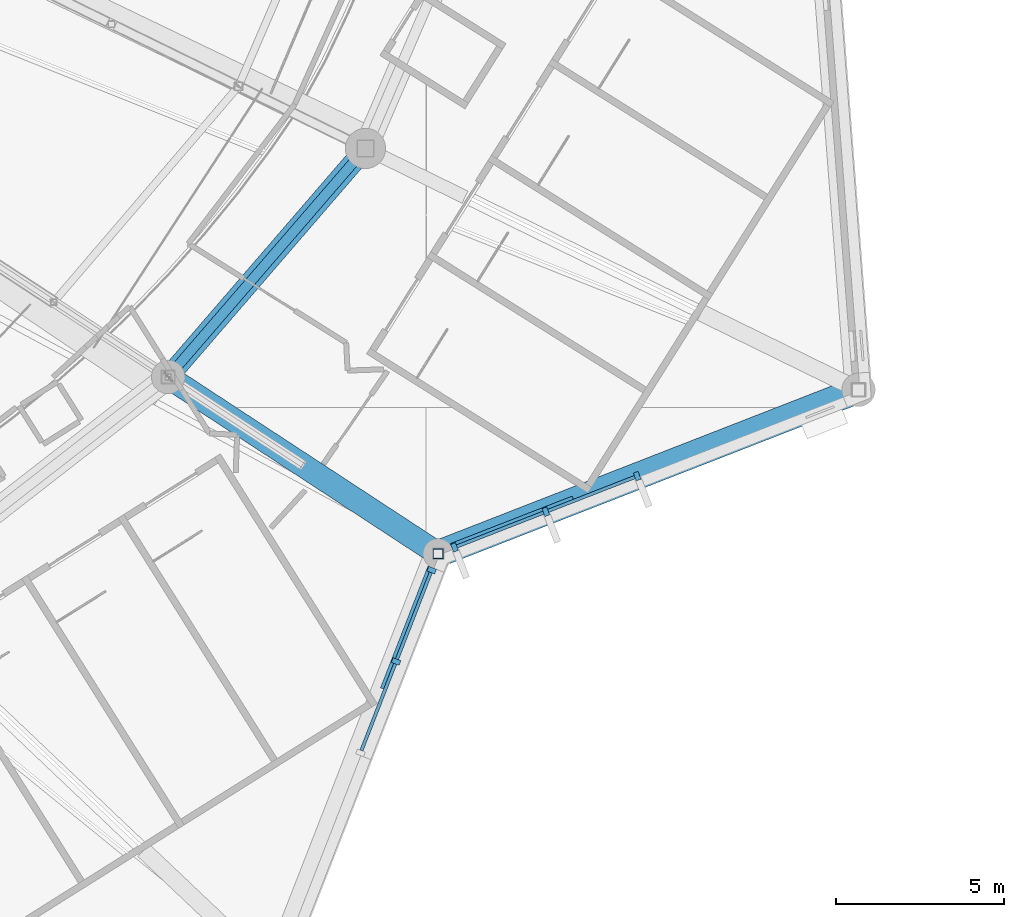
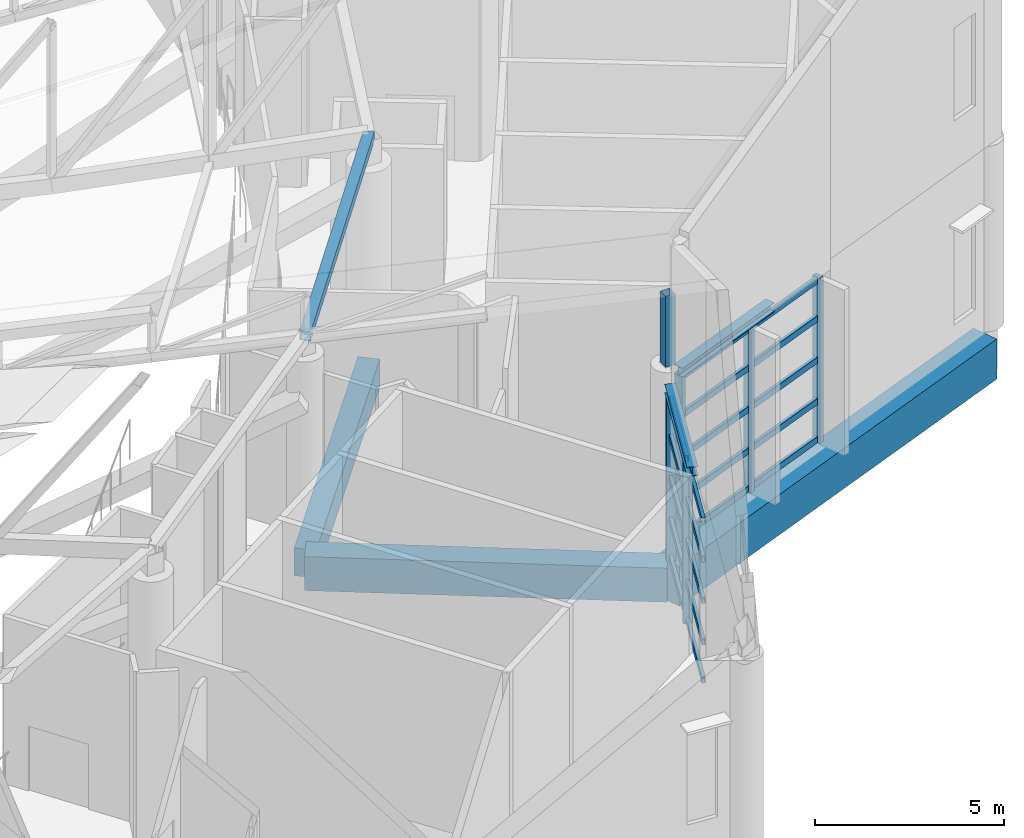
# One storey, part 81 of 344: 27 members, 5 beams, 2 elements without a shape of their own.
"""IFC4 building model written with IfcOpenShell, lengths in metres."""

from ifc_helpers import new_model, si_unit, direction, frame, origin, origin_2d, place, context, subcontext, project, spatial, rectangle, hollow_rectangle, i_section, extrude, material, layer, layer_set, material_profile, profile_set, type_object, element, aggregate, save


model = new_model("IFC4")

# Units and contexts
model_context = context("Model", 3, precision=1e-05, world=origin(), true_north=direction((0.0, 1.0)))
body_context = subcontext(model_context, "Body", "Model", "MODEL_VIEW")
ifc_project = project(units=[si_unit("LENGTHUNIT", "METRE"), si_unit("AREAUNIT", "SQUARE_METRE"), si_unit("VOLUMEUNIT", "CUBIC_METRE"), si_unit("PLANEANGLEUNIT", "RADIAN"), si_unit("MASSUNIT", "GRAM", prefix="KILO")], contexts=[model_context])

# Site, building, storey
site_placement = place(None, origin())
site = spatial("IfcSite", under=ifc_project, at=site_placement, CompositionType="ELEMENT")
building_placement = place(site_placement, origin())
building = spatial("IfcBuilding", under=site, at=building_placement, Name="Meseta Stadium", CompositionType="ELEMENT")
storey_placement = place(building_placement, frame((0.0, 0.0, 24.0)))
storey = spatial("IfcBuildingStorey", under=building, at=storey_placement, Name="L04", CompositionType="ELEMENT", Elevation=24.0)

# Beams
ifc_material_1 = material(Name="Steel S355", Category="steel")
ifc_material_profile_1 = material_profile(ifc_material_1, i_section(OverallWidth=0.300048828125, OverallDepth=0.300048828125, WebThickness=0.010986328125, FlangeThickness=0.01904296875, FilletRadius=0.027099609375, at=origin_2d()), Name="HEB 300")
ifc_profile_set_1 = profile_set([ifc_material_profile_1], Name="Steel S355")
beam_type_1 = type_object("IfcBeamType", Name="Atrium lintel beam HEB 300", PredefinedType="BEAM", material=ifc_profile_set_1)
for number, where, z_axis, x_axis, name in (
    (1, (80.2021484375, -84.784423828125, 5.5), (-0.363325172539, -0.931662395399, 0.0), (0.931662395399, -0.363325172539, 0.0), "Atrium lintel beam F52"),
    (2, (80.784423828125, -84.2021484375, 5.5), (0.931662395399, 0.363325172539, 0.0), (-0.363325172539, 0.931662395399, 0.0), "Atrium lintel beam F53"),
):
    element("IfcBeam", number, at=place(storey_placement, frame(where, z_axis=z_axis, x_axis=x_axis)), inside=storey, type_object=beam_type_1, Name=name, PredefinedType="BEAM", context=body_context, shape_type="SweptSolid", body=[
        extrude(i_section(OverallWidth=0.300048828125, OverallDepth=0.300048828125, WebThickness=0.010986328125, FlangeThickness=0.01904296875, FilletRadius=0.027099609375, at=origin_2d()), origin(), (0.0, 0.0, 1.0), 3.900146484375),
    ])

# Curtain wall, members
ifc_material_2 = material(Name="Steel S355", Category="steel")
ifc_layer = layer(ifc_material_2, 0.300048828125)
ifc_layer_set = layer_set([ifc_layer], Name="Valley atrium curtain wall")
curtain_wall_type = type_object("IfcCurtainWallType", Name="Valley atrium curtain wall", PredefinedType="NOTDEFINED", material=ifc_layer_set)
curtain_wall_1_placement = place(storey_placement, origin())
curtain_wall_1 = element("IfcCurtainWall", 3, at=curtain_wall_1_placement, inside=storey, type_object=curtain_wall_type, Name="Valley atrium glazing F52", PredefinedType="NOTDEFINED")
ifc_material_3 = material(Name="Steel S355", Category="steel")
ifc_material_profile_2 = material_profile(ifc_material_3, rectangle(XDim=0.25, YDim=0.14990234375, at=origin_2d()), Name="CW 250x150")
ifc_profile_set_2 = profile_set([ifc_material_profile_2], Name="Steel S355")
member_type_1 = type_object("IfcMemberType", Name="CW mullion bar 250x150", PredefinedType="MULLION", material=ifc_profile_set_2)
member_1_placement = place(storey_placement, frame((79.1123046875, -87.579345703125, 0.0), z_axis=(0.0, 0.0, 1.0), x_axis=(-0.931679912901, 0.363280249803, 0.0)))
member_1 = element("IfcMember", 4, at=member_1_placement, type_object=member_type_1, Name="CWA mullion 2", PredefinedType="MULLION", context=body_context, shape_type="SweptSolid", body=[
    extrude(rectangle(XDim=0.25, YDim=0.14990234375, at=origin_2d()), origin(), (0.0, 0.0, 1.0), 5.35009765625),
])
member_2_placement = place(storey_placement, frame((80.1748046875, -84.854248046875, 0.0), z_axis=(0.0, 0.0, 1.0), x_axis=(-0.931679912901, 0.363280249803, 0.0)))
member_2 = element("IfcMember", 5, at=member_2_placement, type_object=member_type_1, Name="CWA mullion 3", PredefinedType="MULLION", context=body_context, shape_type="SweptSolid", body=[
    extrude(rectangle(XDim=0.25, YDim=0.14990234375, at=origin_2d()), origin(), (0.0, 0.0, 1.0), 5.35009765625),
])

curtain_wall_2_placement = place(storey_placement, origin())
curtain_wall_2 = element("IfcCurtainWall", 6, at=curtain_wall_2_placement, inside=storey, type_object=curtain_wall_type, Name="Valley atrium glazing F53", PredefinedType="NOTDEFINED")
member_3_placement = place(storey_placement, frame((80.854248046875, -84.1748046875, 0.0), z_axis=(0.0, 0.0, 1.0), x_axis=(-0.363280249803, 0.931679912901, 0.0)))
member_3 = element("IfcMember", 7, at=member_3_placement, type_object=member_type_1, Name="CWA mullion 1", PredefinedType="MULLION", context=body_context, shape_type="SweptSolid", body=[
    extrude(rectangle(XDim=0.25, YDim=0.14990234375, at=origin_2d()), origin(), (0.0, 0.0, 1.0), 5.35009765625),
])
member_4_placement = place(storey_placement, frame((83.579345703125, -83.1123046875, 0.0), z_axis=(0.0, 0.0, 1.0), x_axis=(-0.363280249803, 0.931679912901, 0.0)))
member_4 = element("IfcMember", 8, at=member_4_placement, type_object=member_type_1, Name="CWA mullion 2", PredefinedType="MULLION", context=body_context, shape_type="SweptSolid", body=[
    extrude(rectangle(XDim=0.25, YDim=0.14990234375, at=origin_2d()), origin(), (0.0, 0.0, 1.0), 5.35009765625),
])
member_5_placement = place(storey_placement, frame((86.304443359375, -82.049560546875, 0.0), z_axis=(0.0, 0.0, 1.0), x_axis=(-0.363280249803, 0.931679912901, 0.0)))
member_5 = element("IfcMember", 9, at=member_5_placement, type_object=member_type_1, Name="CWA mullion 3", PredefinedType="MULLION", context=body_context, shape_type="SweptSolid", body=[
    extrude(rectangle(XDim=0.25, YDim=0.14990234375, at=origin_2d()), origin(), (0.0, 0.0, 1.0), 5.35009765625),
])

# Member
ifc_material_4 = material(Name="Steel S355", Category="steel")
ifc_material_profile_3 = material_profile(ifc_material_4, hollow_rectangle(XDim=0.10009765625, YDim=0.199951171875, WallThickness=0.008056640625, at=origin_2d()), Name="RHS 200x100x8")
ifc_profile_set_3 = profile_set([ifc_material_profile_3], Name="Steel S355")
member_type_2 = type_object("IfcMemberType", Name="CW transom RHS 200x100x8", PredefinedType="USERDEFINED", material=ifc_profile_set_3)
member_6_placement = place(storey_placement, frame((78.076904296875, -90.234619140625, 0.10009765625), z_axis=(0.363261275509, 0.931687311127, 0.0), x_axis=(-0.931687311127, 0.363261275509, 0.0)))
member_6 = element("IfcMember", 10, at=member_6_placement, type_object=member_type_2, Name="CWA transom 1.1", ObjectType="TRANSOM", PredefinedType="USERDEFINED", context=body_context, shape_type="SweptSolid", body=[
    extrude(hollow_rectangle(XDim=0.10009765625, YDim=0.199951171875, WallThickness=0.008056640625, at=origin_2d()), origin(), (0.0, 0.0, 1.0), 2.77490234375),
])

member_7_placement = place(storey_placement, frame((78.076904296875, -90.234619140625, 1.33740234375), z_axis=(0.363261275509, 0.931687311127, 0.0), x_axis=(-0.931687311127, 0.363261275509, 0.0)))
member_7 = element("IfcMember", 11, at=member_7_placement, type_object=member_type_2, Name="CWA transom 1.2", ObjectType="TRANSOM", PredefinedType="USERDEFINED", context=body_context, shape_type="SweptSolid", body=[
    extrude(hollow_rectangle(XDim=0.10009765625, YDim=0.199951171875, WallThickness=0.008056640625, at=origin_2d()), origin(), (0.0, 0.0, 1.0), 2.77490234375),
])

member_8_placement = place(storey_placement, frame((78.076904296875, -90.234619140625, 2.675048828125), z_axis=(0.363261275509, 0.931687311127, 0.0), x_axis=(-0.931687311127, 0.363261275509, 0.0)))
member_8 = element("IfcMember", 12, at=member_8_placement, type_object=member_type_2, Name="CWA transom 1.3", ObjectType="TRANSOM", PredefinedType="USERDEFINED", context=body_context, shape_type="SweptSolid", body=[
    extrude(hollow_rectangle(XDim=0.10009765625, YDim=0.199951171875, WallThickness=0.008056640625, at=origin_2d()), origin(), (0.0, 0.0, 1.0), 2.77490234375),
])

member_9_placement = place(storey_placement, frame((78.076904296875, -90.234619140625, 4.012451171875), z_axis=(0.363261275509, 0.931687311127, 0.0), x_axis=(-0.931687311127, 0.363261275509, 0.0)))
member_9 = element("IfcMember", 13, at=member_9_placement, type_object=member_type_2, Name="CWA transom 1.4", ObjectType="TRANSOM", PredefinedType="USERDEFINED", context=body_context, shape_type="SweptSolid", body=[
    extrude(hollow_rectangle(XDim=0.10009765625, YDim=0.199951171875, WallThickness=0.008056640625, at=origin_2d()), origin(), (0.0, 0.0, 1.0), 2.77490234375),
])

member_10_placement = place(storey_placement, frame((78.076904296875, -90.234619140625, 5.25), z_axis=(0.363261275509, 0.931687311127, 0.0), x_axis=(-0.931687311127, 0.363261275509, 0.0)))
member_10 = element("IfcMember", 14, at=member_10_placement, type_object=member_type_2, Name="CWA transom 1.5", ObjectType="TRANSOM", PredefinedType="USERDEFINED", context=body_context, shape_type="SweptSolid", body=[
    extrude(hollow_rectangle(XDim=0.10009765625, YDim=0.199951171875, WallThickness=0.008056640625, at=origin_2d()), origin(), (0.0, 0.0, 1.0), 2.77490234375),
])

member_11_placement = place(storey_placement, frame((79.139404296875, -87.509521484375, 0.10009765625), z_axis=(0.363261275509, 0.931687311127, 0.0), x_axis=(-0.931687311127, 0.363261275509, 0.0)))
member_11 = element("IfcMember", 15, at=member_11_placement, type_object=member_type_2, Name="CWA transom 2.1", ObjectType="TRANSOM", PredefinedType="USERDEFINED", context=body_context, shape_type="SweptSolid", body=[
    extrude(hollow_rectangle(XDim=0.10009765625, YDim=0.199951171875, WallThickness=0.008056640625, at=origin_2d()), origin(), (0.0, 0.0, 1.0), 2.77490234375),
])

member_12_placement = place(storey_placement, frame((79.139404296875, -87.509521484375, 1.33740234375), z_axis=(0.363261275509, 0.931687311127, 0.0), x_axis=(-0.931687311127, 0.363261275509, 0.0)))
member_12 = element("IfcMember", 16, at=member_12_placement, type_object=member_type_2, Name="CWA transom 2.2", ObjectType="TRANSOM", PredefinedType="USERDEFINED", context=body_context, shape_type="SweptSolid", body=[
    extrude(hollow_rectangle(XDim=0.10009765625, YDim=0.199951171875, WallThickness=0.008056640625, at=origin_2d()), origin(), (0.0, 0.0, 1.0), 2.77490234375),
])

member_13_placement = place(storey_placement, frame((79.139404296875, -87.509521484375, 2.675048828125), z_axis=(0.363261275509, 0.931687311127, 0.0), x_axis=(-0.931687311127, 0.363261275509, 0.0)))
member_13 = element("IfcMember", 17, at=member_13_placement, type_object=member_type_2, Name="CWA transom 2.3", ObjectType="TRANSOM", PredefinedType="USERDEFINED", context=body_context, shape_type="SweptSolid", body=[
    extrude(hollow_rectangle(XDim=0.10009765625, YDim=0.199951171875, WallThickness=0.008056640625, at=origin_2d()), origin(), (0.0, 0.0, 1.0), 2.77490234375),
])

member_14_placement = place(storey_placement, frame((79.139404296875, -87.509521484375, 4.012451171875), z_axis=(0.363261275509, 0.931687311127, 0.0), x_axis=(-0.931687311127, 0.363261275509, 0.0)))
member_14 = element("IfcMember", 18, at=member_14_placement, type_object=member_type_2, Name="CWA transom 2.4", ObjectType="TRANSOM", PredefinedType="USERDEFINED", context=body_context, shape_type="SweptSolid", body=[
    extrude(hollow_rectangle(XDim=0.10009765625, YDim=0.199951171875, WallThickness=0.008056640625, at=origin_2d()), origin(), (0.0, 0.0, 1.0), 2.77490234375),
])

member_15_placement = place(storey_placement, frame((79.139404296875, -87.509521484375, 5.25), z_axis=(0.363261275509, 0.931687311127, 0.0), x_axis=(-0.931687311127, 0.363261275509, 0.0)))
member_15 = element("IfcMember", 19, at=member_15_placement, type_object=member_type_2, Name="CWA transom 2.5", ObjectType="TRANSOM", PredefinedType="USERDEFINED", context=body_context, shape_type="SweptSolid", body=[
    extrude(hollow_rectangle(XDim=0.10009765625, YDim=0.199951171875, WallThickness=0.008056640625, at=origin_2d()), origin(), (0.0, 0.0, 1.0), 2.77490234375),
])

aggregate(curtain_wall_1, [member_1, member_2, member_6, member_7, member_8, member_9, member_10, member_11, member_12, member_13, member_14, member_15])

member_16_placement = place(storey_placement, frame((80.924072265625, -84.1474609375, 0.10009765625), z_axis=(0.931687311127, 0.363261275509, 0.0), x_axis=(-0.363261275509, 0.931687311127, 0.0)))
member_16 = element("IfcMember", 20, at=member_16_placement, type_object=member_type_2, Name="CWA transom 1.1", ObjectType="TRANSOM", PredefinedType="USERDEFINED", context=body_context, shape_type="SweptSolid", body=[
    extrude(hollow_rectangle(XDim=0.10009765625, YDim=0.199951171875, WallThickness=0.008056640625, at=origin_2d()), origin(), (0.0, 0.0, 1.0), 2.77490234375),
])

member_17_placement = place(storey_placement, frame((80.924072265625, -84.1474609375, 1.33740234375), z_axis=(0.931687311127, 0.363261275509, 0.0), x_axis=(-0.363261275509, 0.931687311127, 0.0)))
member_17 = element("IfcMember", 21, at=member_17_placement, type_object=member_type_2, Name="CWA transom 1.2", ObjectType="TRANSOM", PredefinedType="USERDEFINED", context=body_context, shape_type="SweptSolid", body=[
    extrude(hollow_rectangle(XDim=0.10009765625, YDim=0.199951171875, WallThickness=0.008056640625, at=origin_2d()), origin(), (0.0, 0.0, 1.0), 2.77490234375),
])

member_18_placement = place(storey_placement, frame((80.924072265625, -84.1474609375, 2.675048828125), z_axis=(0.931687311127, 0.363261275509, 0.0), x_axis=(-0.363261275509, 0.931687311127, 0.0)))
member_18 = element("IfcMember", 22, at=member_18_placement, type_object=member_type_2, Name="CWA transom 1.3", ObjectType="TRANSOM", PredefinedType="USERDEFINED", context=body_context, shape_type="SweptSolid", body=[
    extrude(hollow_rectangle(XDim=0.10009765625, YDim=0.199951171875, WallThickness=0.008056640625, at=origin_2d()), origin(), (0.0, 0.0, 1.0), 2.77490234375),
])

member_19_placement = place(storey_placement, frame((80.924072265625, -84.1474609375, 4.012451171875), z_axis=(0.931687311127, 0.363261275509, 0.0), x_axis=(-0.363261275509, 0.931687311127, 0.0)))
member_19 = element("IfcMember", 23, at=member_19_placement, type_object=member_type_2, Name="CWA transom 1.4", ObjectType="TRANSOM", PredefinedType="USERDEFINED", context=body_context, shape_type="SweptSolid", body=[
    extrude(hollow_rectangle(XDim=0.10009765625, YDim=0.199951171875, WallThickness=0.008056640625, at=origin_2d()), origin(), (0.0, 0.0, 1.0), 2.77490234375),
])

member_20_placement = place(storey_placement, frame((80.924072265625, -84.1474609375, 5.25), z_axis=(0.931687311127, 0.363261275509, 0.0), x_axis=(-0.363261275509, 0.931687311127, 0.0)))
member_20 = element("IfcMember", 24, at=member_20_placement, type_object=member_type_2, Name="CWA transom 1.5", ObjectType="TRANSOM", PredefinedType="USERDEFINED", context=body_context, shape_type="SweptSolid", body=[
    extrude(hollow_rectangle(XDim=0.10009765625, YDim=0.199951171875, WallThickness=0.008056640625, at=origin_2d()), origin(), (0.0, 0.0, 1.0), 2.77490234375),
])

member_21_placement = place(storey_placement, frame((83.649169921875, -83.0849609375, 0.10009765625), z_axis=(0.931687311127, 0.363261275509, 0.0), x_axis=(-0.363261275509, 0.931687311127, 0.0)))
member_21 = element("IfcMember", 25, at=member_21_placement, type_object=member_type_2, Name="CWA transom 2.1", ObjectType="TRANSOM", PredefinedType="USERDEFINED", context=body_context, shape_type="SweptSolid", body=[
    extrude(hollow_rectangle(XDim=0.10009765625, YDim=0.199951171875, WallThickness=0.008056640625, at=origin_2d()), origin(), (0.0, 0.0, 1.0), 2.77490234375),
])

member_22_placement = place(storey_placement, frame((83.649169921875, -83.0849609375, 1.33740234375), z_axis=(0.931687311127, 0.363261275509, 0.0), x_axis=(-0.363261275509, 0.931687311127, 0.0)))
member_22 = element("IfcMember", 26, at=member_22_placement, type_object=member_type_2, Name="CWA transom 2.2", ObjectType="TRANSOM", PredefinedType="USERDEFINED", context=body_context, shape_type="SweptSolid", body=[
    extrude(hollow_rectangle(XDim=0.10009765625, YDim=0.199951171875, WallThickness=0.008056640625, at=origin_2d()), origin(), (0.0, 0.0, 1.0), 2.77490234375),
])

member_23_placement = place(storey_placement, frame((83.649169921875, -83.0849609375, 2.675048828125), z_axis=(0.931687311127, 0.363261275509, 0.0), x_axis=(-0.363261275509, 0.931687311127, 0.0)))
member_23 = element("IfcMember", 27, at=member_23_placement, type_object=member_type_2, Name="CWA transom 2.3", ObjectType="TRANSOM", PredefinedType="USERDEFINED", context=body_context, shape_type="SweptSolid", body=[
    extrude(hollow_rectangle(XDim=0.10009765625, YDim=0.199951171875, WallThickness=0.008056640625, at=origin_2d()), origin(), (0.0, 0.0, 1.0), 2.77490234375),
])

member_24_placement = place(storey_placement, frame((83.649169921875, -83.0849609375, 4.012451171875), z_axis=(0.931687311127, 0.363261275509, 0.0), x_axis=(-0.363261275509, 0.931687311127, 0.0)))
member_24 = element("IfcMember", 28, at=member_24_placement, type_object=member_type_2, Name="CWA transom 2.4", ObjectType="TRANSOM", PredefinedType="USERDEFINED", context=body_context, shape_type="SweptSolid", body=[
    extrude(hollow_rectangle(XDim=0.10009765625, YDim=0.199951171875, WallThickness=0.008056640625, at=origin_2d()), origin(), (0.0, 0.0, 1.0), 2.77490234375),
])

member_25_placement = place(storey_placement, frame((83.649169921875, -83.0849609375, 5.25), z_axis=(0.931687311127, 0.363261275509, 0.0), x_axis=(-0.363261275509, 0.931687311127, 0.0)))
member_25 = element("IfcMember", 29, at=member_25_placement, type_object=member_type_2, Name="CWA transom 2.5", ObjectType="TRANSOM", PredefinedType="USERDEFINED", context=body_context, shape_type="SweptSolid", body=[
    extrude(hollow_rectangle(XDim=0.10009765625, YDim=0.199951171875, WallThickness=0.008056640625, at=origin_2d()), origin(), (0.0, 0.0, 1.0), 2.77490234375),
])

aggregate(curtain_wall_2, [member_3, member_4, member_5, member_16, member_17, member_18, member_19, member_20, member_21, member_22, member_23, member_24, member_25])

# Beams
ifc_material_5 = material(Name="Concrete C40/50", Category="concrete")
ifc_material_profile_4 = material_profile(ifc_material_5, rectangle(XDim=0.60009765625, YDim=0.89990234375, at=origin_2d()), Name="RC 600x900")
ifc_profile_set_4 = profile_set([ifc_material_profile_4], Name="Concrete C40/50")
beam_type_2 = type_object("IfcBeamType", Name="RC beam 600x900", PredefinedType="BEAM", material=ifc_profile_set_4)
beam_1_placement = place(storey_placement, frame((72.31201171875, -79.091064453125, -0.85009765625), z_axis=(0.653414508663, 0.757000316954, 0.0), x_axis=(-0.757000316954, 0.653414508663, 0.0)))
element("IfcBeam", 30, at=beam_1_placement, inside=storey, type_object=beam_type_2, Name="L04 ring beam frame 53 line P", PredefinedType="BEAM", context=body_context, shape_type="SweptSolid", body=[
    extrude(rectangle(XDim=0.60009765625, YDim=0.89990234375, at=origin_2d()), origin(), (0.0, 0.0, 1.0), 9.008056640625),
])
ifc_material_6 = material(Name="Concrete C40/50", Category="concrete")
ifc_material_profile_5 = material_profile(ifc_material_6, rectangle(XDim=0.699951171875, YDim=1.10009765625, at=origin_2d()), Name="RC 700x1100")
ifc_profile_set_5 = profile_set([ifc_material_profile_5], Name="Concrete C40/50")
beam_type_3 = type_object("IfcBeamType", Name="RC beam 700x1100", PredefinedType="BEAM", material=ifc_profile_set_5)
beam_2_placement = place(storey_placement, frame((72.31201171875, -79.091064453125, -0.949951171875), z_axis=(0.836556122728, -0.547881240349, 0.0), x_axis=(0.547881240349, 0.836556122728, 0.0)))
element("IfcBeam", 31, at=beam_2_placement, inside=storey, type_object=beam_type_3, Name="L04 radial beam frame 53 line P to R", PredefinedType="BEAM", context=body_context, shape_type="SweptSolid", body=[
    extrude(rectangle(XDim=0.699951171875, YDim=1.10009765625, at=origin_2d()), origin(), (0.0, 0.0, 1.0), 9.626953125),
])
ifc_material_7 = material(Name="Concrete C40/50", Category="concrete")
ifc_material_profile_6 = material_profile(ifc_material_7, rectangle(XDim=0.800048828125, YDim=1.300048828125, at=origin_2d()), Name="RC 800x1300")
ifc_profile_set_6 = profile_set([ifc_material_profile_6], Name="Concrete C40/50")
beam_type_4 = type_object("IfcBeamType", Name="RC beam 800x1300", PredefinedType="BEAM", material=ifc_profile_set_6)
beam_3_placement = place(storey_placement, frame((80.365478515625, -84.365478515625, -1.050048828125), z_axis=(0.93167689837, 0.363287980868, 0.0), x_axis=(-0.363287980868, 0.93167689837, 0.0)))
element("IfcBeam", 32, at=beam_3_placement, inside=storey, type_object=beam_type_4, Name="L04 ring beam frame 53 line R", PredefinedType="BEAM", context=body_context, shape_type="SweptSolid", body=[
    extrude(rectangle(XDim=0.800048828125, YDim=1.300048828125, at=origin_2d()), origin(), (0.0, 0.0, 1.0), 13.462890625),
])

# Members
ifc_material_8 = material(Name="Steel S355", Category="steel")
ifc_material_profile_7 = material_profile(ifc_material_8, hollow_rectangle(XDim=0.300048828125, YDim=0.300048828125, WallThickness=0.010009765625, at=origin_2d()), Name="SHS 300x300x10")
ifc_profile_set_7 = profile_set([ifc_material_profile_7], Name="Steel S355")
member_type_3 = type_object("IfcMemberType", Name="SHS 300x300x10 pivot strut", PredefinedType="STRUT", material=ifc_profile_set_7)
member_26_placement = place(storey_placement, frame((72.31201171875, -79.091064453125, 6.501220703125), z_axis=(0.653089601062, 0.756623901749, 0.031531639456), x_axis=(-0.757000316954, 0.653414508663, 0.0)))
element("IfcMember", 33, at=member_26_placement, inside=storey, type_object=member_type_3, Name="ROOF PIVOT STRUT RT-53/54", PredefinedType="STRUT", context=body_context, shape_type="SweptSolid", body=[
    extrude(hollow_rectangle(XDim=0.300048828125, YDim=0.300048828125, WallThickness=0.010009765625, at=origin_2d()), origin(), (0.0, 0.0, 1.0), 9.012451171875),
])
ifc_material_9 = material(Name="Steel S355", Category="steel")
ifc_material_profile_8 = material_profile(ifc_material_9, hollow_rectangle(XDim=0.300048828125, YDim=0.300048828125, WallThickness=0.010009765625, at=origin_2d()), Name="SHS 300x300x10")
ifc_profile_set_8 = profile_set([ifc_material_profile_8], Name="Steel S355")
member_type_4 = type_object("IfcMemberType", Name="SHS 300x300x10 rim post", PredefinedType="POST", material=ifc_profile_set_8)
member_27_placement = place(storey_placement, frame((80.365478515625, -84.365478515625, 6.0), z_axis=(0.0, 0.0, 1.0), x_axis=(1.0, 0.0, 0.0)))
element("IfcMember", 34, at=member_27_placement, inside=storey, type_object=member_type_4, Name="ROOF RIM POST RT-53", PredefinedType="POST", context=body_context, shape_type="SweptSolid", body=[
    extrude(hollow_rectangle(XDim=0.300048828125, YDim=0.300048828125, WallThickness=0.010009765625, at=origin_2d()), origin(), (0.0, 0.0, 1.0), 2.291748046875),
])

save(model, "model.ifc")
